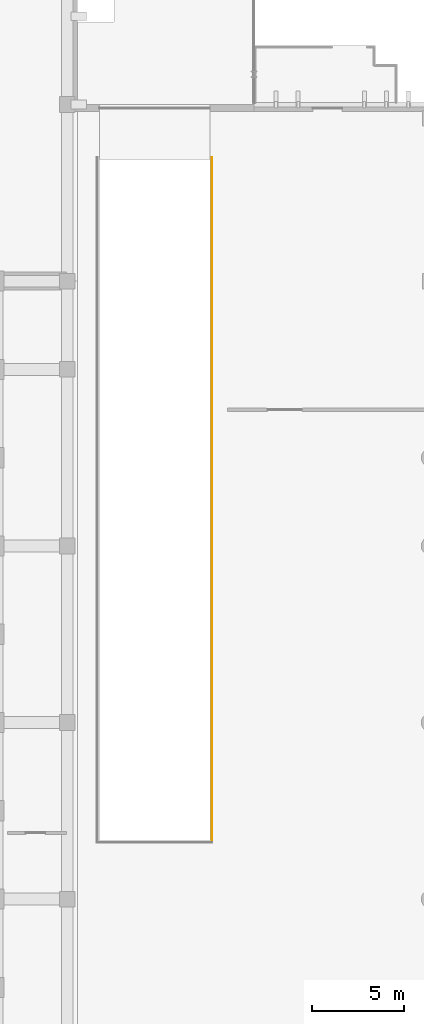
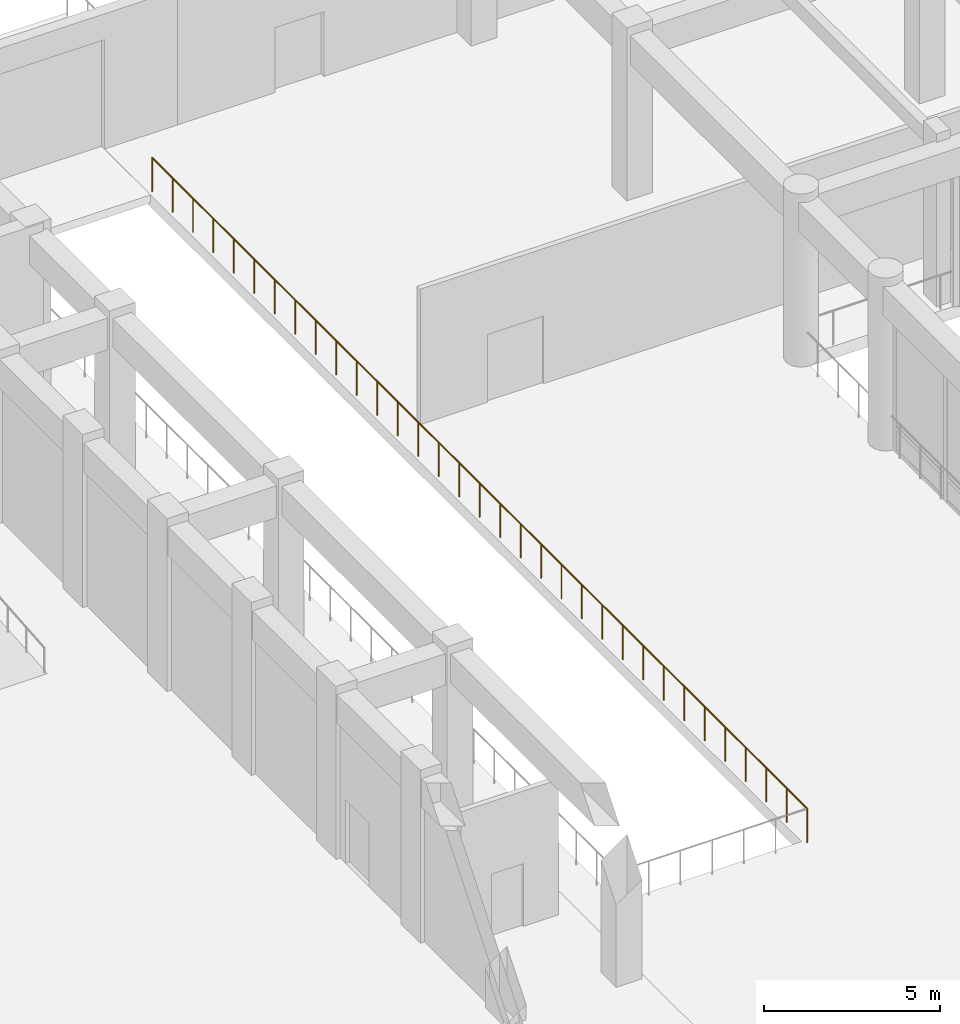
# One storey, part 73 of 87: 1 railing.
"""IFC4 building model written with IfcOpenShell, lengths in metres."""

import ifcopenshell
import ifcopenshell.guid

model = None  # the IFC model being written
_history = None  # IfcOwnerHistory: only IFC2X3 demands one
_inside = {}  # id of a spatial element -> (the spatial element, [elements in it])
_under = {}  # id of a project, library or spatial element -> (it, [spatial elements below it])
_declared = {}  # id of a project -> (the project, [libraries it declares])
_typed = {}  # id of a type object -> (the type object, [elements of that type])
_made_of = {}  # id of a material, layer set ... -> (it, [elements and type objects made of it])


def new_model(schema):
    """Start an empty IFC model of exactly this schema.

    Asked for "IFC4X3", IfcOpenShell would pick the latest addendum, in which some entities
    have other attributes; the version numbers below select the first issue.
    IFC2X3 requires an IfcOwnerHistory on every rooted entity: one is made here for all.
    """
    global model, _history
    if schema == "IFC4X3":
        model = ifcopenshell.file(schema_version=(4, 3, 0, 0))
    else:
        model = ifcopenshell.file(schema=schema)
    _inside.clear()
    _under.clear()
    _declared.clear()
    _typed.clear()
    _made_of.clear()
    _history = None
    if model.schema == "IFC2X3":
        org = make("IfcOrganization", Name="unknown")
        user = make(
            "IfcPersonAndOrganization",
            ThePerson=make("IfcPerson", FamilyName="unknown"),
            TheOrganization=org,
        )
        app = make(
            "IfcApplication",
            ApplicationDeveloper=org,
            Version="unknown",
            ApplicationFullName="unknown",
            ApplicationIdentifier="unknown",
        )
        _history = make(
            "IfcOwnerHistory",
            OwningUser=user,
            OwningApplication=app,
            ChangeAction="ADDED",
            CreationDate=0,
        )
    return model


def make(cls, **values):
    """One entity of the class cls with the attributes given. An attribute that is None is left unset."""
    return model.create_entity(
        cls, **{name: value for name, value in values.items() if value is not None}
    )


def rooted(cls, **values):
    """An entity with a GlobalId (a new one), such as an element, a storey or a relation."""
    return make(cls, GlobalId=ifcopenshell.guid.new(), OwnerHistory=_history, **values)


def si_unit(unit_type, name, prefix=None):
    """IfcSIUnit, for example si_unit("LENGTHUNIT", "METRE", prefix="MILLI")."""
    return make("IfcSIUnit", UnitType=unit_type, Prefix=prefix, Name=name)


def assignment(units):
    """IfcUnitAssignment: the units of a project."""
    return None if units is None else make("IfcUnitAssignment", Units=units)


def point(xyz):
    """IfcCartesianPoint."""
    return None if xyz is None else make("IfcCartesianPoint", Coordinates=xyz)


def direction(xyz):
    """IfcDirection."""
    return None if xyz is None else make("IfcDirection", DirectionRatios=xyz)


def frame(location, z_axis=None, x_axis=None):
    """IfcAxis2Placement3D, a coordinate frame: its origin and axes. An axis left out is left unset."""
    return make(
        "IfcAxis2Placement3D",
        Location=point(location),
        Axis=direction(z_axis),
        RefDirection=direction(x_axis),
    )


def frame_2d(location, x_axis=None):
    """IfcAxis2Placement2D, a coordinate frame in the plane: its origin and x axis."""
    return make(
        "IfcAxis2Placement2D", Location=point(location), RefDirection=direction(x_axis)
    )


def origin():
    """The frame at (0, 0, 0) with its axes left unset."""
    return frame((0.0, 0.0, 0.0))


def origin_2d():
    """The frame at (0, 0) in the plane with its x axis left unset."""
    return frame_2d((0.0, 0.0))


def place(relative_to, where):
    """IfcLocalPlacement: puts the frame where relative to a parent placement (None: the world)."""
    return make(
        "IfcLocalPlacement", PlacementRelTo=relative_to, RelativePlacement=where
    )


def context(
    kind, dimensions, precision=None, world=None, true_north=None, identifier=None
):
    """IfcGeometricRepresentationContext, for example the 3D "Model" context."""
    return make(
        "IfcGeometricRepresentationContext",
        ContextIdentifier=identifier,
        ContextType=kind,
        CoordinateSpaceDimension=dimensions,
        Precision=precision,
        WorldCoordinateSystem=world,
        TrueNorth=true_north,
    )


def subcontext(parent, identifier, kind, view, scale=None):
    """IfcGeometricRepresentationSubContext, for example "Body" below "Model"."""
    return make(
        "IfcGeometricRepresentationSubContext",
        ContextIdentifier=identifier,
        ContextType=kind,
        ParentContext=parent,
        TargetScale=scale,
        TargetView=view,
    )


def project(units=None, contexts=None):
    """IfcProject with its units and contexts."""
    return rooted(
        "IfcProject",
        Name="project",
        RepresentationContexts=contexts,
        UnitsInContext=assignment(units),
    )


def spatial(cls, under=None, at=None, **own):
    """A site, building, storey or space (cls), placed at a placement, below another one or the project."""
    s = rooted(cls, ObjectPlacement=at, **own)
    if under is not None:
        _under.setdefault(under.id(), (under, []))[1].append(s)
    return s


def profile(cls, at=None, kind="AREA", **sizes):
    """A parametric profile (cls). Its sizes go by their IFC names, for example OverallWidth=200.0."""
    return make(cls, ProfileType=kind, Position=at, **sizes)


def circle(**sizes):
    """IfcCircleProfileDef."""
    return profile("IfcCircleProfileDef", **sizes)


def extrude(swept, where, along, depth):
    """IfcExtrudedAreaSolid: the profile swept, set in the frame where, extruded along a direction by depth."""
    return make(
        "IfcExtrudedAreaSolid",
        SweptArea=swept,
        Position=where,
        ExtrudedDirection=direction(along),
        Depth=depth,
    )


def shape(context_of_items, identifier, shape_type, items):
    """IfcShapeRepresentation: the items that make up one representation, for example the "Body"."""
    return make(
        "IfcShapeRepresentation",
        ContextOfItems=context_of_items,
        RepresentationIdentifier=identifier,
        RepresentationType=shape_type,
        Items=items,
    )


def material(Name=None, Category=None):
    """IfcMaterial."""
    return make("IfcMaterial", Name=Name, Category=Category)


def made_of(thing, what):
    """Note that an element or type object is made of a material, layer set ...; save() writes the relation."""
    if what is not None:
        _made_of.setdefault(what.id(), (what, []))[1].append(thing)
    return thing


def type_object(cls, material=None, **own):
    """A type object (cls), such as IfcWallType, which elements share."""
    return made_of(rooted(cls, **own), material)


def element(
    cls,
    number,
    at=None,
    inside=None,
    cuts=None,
    type_object=None,
    material=None,
    context=None,
    identifier="Body",
    shape_type=None,
    held_by="IfcProductDefinitionShape",
    body=None,
    shapes=None,
    **own,
):
    """One element of the class cls, such as IfcWall. Its Tag is "e" and its number.

    at: its placement. inside: the storey or other place that contains it. cuts: it is an
    opening in that element (IfcRelVoidsElement). A single representation is given by context,
    identifier, shape_type and body (its items); several are given by shapes. held_by: the class
    of the entity that holds the representations. save() writes the other relations.
    """
    e = rooted(cls, Tag="e%d" % number, ObjectPlacement=at, **own)
    if body is not None:
        shapes = [shape(context, identifier, shape_type, body)]
    if shapes is not None:
        e.Representation = make(held_by, Representations=shapes)
    if inside is not None:
        _inside.setdefault(inside.id(), (inside, []))[1].append(e)
    if cuts is not None:
        rooted(
            "IfcRelVoidsElement", RelatingBuildingElement=cuts, RelatedOpeningElement=e
        )
    if type_object is not None:
        _typed.setdefault(type_object.id(), (type_object, []))[1].append(e)
    return made_of(e, material)


def aggregate(whole, parts):
    """IfcRelAggregates: a whole, such as a stair, and the parts it consists of."""
    return rooted("IfcRelAggregates", RelatingObject=whole, RelatedObjects=parts)


def save(model, path):
    """Write the relations noted so far, then the file.

    IfcRelAggregates (storeys below a building ...), IfcRelContainedInSpatialStructure (elements
    in a storey), IfcRelDefinesByType, IfcRelAssociatesMaterial and IfcRelDeclares: one each for
    every whole, place, type object, material and project.
    """
    for whole, parts in _under.values():
        aggregate(whole, parts)
    for where, things in _inside.values():
        rooted(
            "IfcRelContainedInSpatialStructure",
            RelatedElements=things,
            RelatingStructure=where,
        )
    for kind, things in _typed.values():
        rooted("IfcRelDefinesByType", RelatedObjects=things, RelatingType=kind)
    for what, things in _made_of.values():
        rooted("IfcRelAssociatesMaterial", RelatedObjects=things, RelatingMaterial=what)
    for by, libraries in _declared.values():
        rooted("IfcRelDeclares", RelatingContext=by, RelatedDefinitions=libraries)
    model.write(path)


model = new_model("IFC4")

# Units and contexts
model_context = context("Model", 3, precision=1e-05, world=origin(), true_north=direction((0.0, 1.0)))
body_context = subcontext(model_context, "Body", "Model", "MODEL_VIEW")
ifc_project = project(units=[si_unit("LENGTHUNIT", "METRE"), si_unit("AREAUNIT", "SQUARE_METRE"), si_unit("VOLUMEUNIT", "CUBIC_METRE"), si_unit("PLANEANGLEUNIT", "RADIAN"), si_unit("MASSUNIT", "GRAM", prefix="KILO")], contexts=[model_context])

# Site, building, storey
site_placement = place(None, origin())
site = spatial("IfcSite", under=ifc_project, at=site_placement, CompositionType="ELEMENT")
building_placement = place(site_placement, origin())
building = spatial("IfcBuilding", under=site, at=building_placement, Name="Nakhvara Creek Congress Hotel", CompositionType="ELEMENT")
storey_placement = place(building_placement, origin())
storey = spatial("IfcBuildingStorey", under=building, at=storey_placement, Name="L00", CompositionType="ELEMENT", Elevation=0.0)

# Railing
ifc_material = material(Name="Brushed stainless steel 316L", Category="steel")
railing_type = type_object("IfcRailingType", Name="RL-GUARD-1200", PredefinedType="GUARDRAIL", material=ifc_material)
railing_placement = place(storey_placement, frame((64.919921875, 55.8798828125, 0.0)))
element("IfcRailing", 1, at=railing_placement, inside=storey, type_object=railing_type, Name="Ramp Well Guard VR2-E", PredefinedType="GUARDRAIL", context=body_context, shape_type="SweptSolid", body=[
    extrude(circle(Radius=0.02392578125, at=origin_2d()), frame((0.0, 0.0146484375, 1.17578125), z_axis=(0.0, 1.0, 0.0), x_axis=(-1.0, 0.0, 0.0)), (0.0, 0.0, 1.0), 37.2109375),
    extrude(circle(Radius=0.02099609375, at=origin_2d()), origin(), (0.0, 0.0, 1.0), 1.1806640625),
    extrude(circle(Radius=0.02099609375, at=origin_2d()), frame((0.0, 1.163818359375, 0.0)), (0.0, 0.0, 1.0), 1.1806640625),
    extrude(circle(Radius=0.02099609375, at=origin_2d()), frame((0.0, 2.32763671875, 0.0)), (0.0, 0.0, 1.0), 1.1806640625),
    extrude(circle(Radius=0.02099609375, at=origin_2d()), frame((0.0, 3.4912109375, 0.0)), (0.0, 0.0, 1.0), 1.1806640625),
    extrude(circle(Radius=0.02099609375, at=origin_2d()), frame((0.0, 4.655029296875, 0.0)), (0.0, 0.0, 1.0), 1.1806640625),
    extrude(circle(Radius=0.02099609375, at=origin_2d()), frame((0.0, 5.81884765625, 0.0)), (0.0, 0.0, 1.0), 1.1806640625),
    extrude(circle(Radius=0.02099609375, at=origin_2d()), frame((0.0, 6.982421875, 0.0)), (0.0, 0.0, 1.0), 1.1806640625),
    extrude(circle(Radius=0.02099609375, at=origin_2d()), frame((0.0, 8.146240234375, 0.0)), (0.0, 0.0, 1.0), 1.1806640625),
    extrude(circle(Radius=0.02099609375, at=origin_2d()), frame((0.0, 9.31005859375, 0.0)), (0.0, 0.0, 1.0), 1.1806640625),
    extrude(circle(Radius=0.02099609375, at=origin_2d()), frame((0.0, 10.473876953125, 0.0)), (0.0, 0.0, 1.0), 1.1806640625),
    extrude(circle(Radius=0.02099609375, at=origin_2d()), frame((0.0, 11.6376953125, 0.0)), (0.0, 0.0, 1.0), 1.1806640625),
    extrude(circle(Radius=0.02099609375, at=origin_2d()), frame((0.0, 12.80126953125, 0.0)), (0.0, 0.0, 1.0), 1.1806640625),
    extrude(circle(Radius=0.02099609375, at=origin_2d()), frame((0.0, 13.965087890625, 0.0)), (0.0, 0.0, 1.0), 1.1806640625),
    extrude(circle(Radius=0.02099609375, at=origin_2d()), frame((0.0, 15.12890625, 0.0)), (0.0, 0.0, 1.0), 1.1806640625),
    extrude(circle(Radius=0.02099609375, at=origin_2d()), frame((0.0, 16.29248046875, 0.0)), (0.0, 0.0, 1.0), 1.1806640625),
    extrude(circle(Radius=0.02099609375, at=origin_2d()), frame((0.0, 17.456298828125, 0.0)), (0.0, 0.0, 1.0), 1.1806640625),
    extrude(circle(Radius=0.02099609375, at=origin_2d()), frame((0.0, 18.6201171875, 0.0)), (0.0, 0.0, 1.0), 1.1806640625),
    extrude(circle(Radius=0.02099609375, at=origin_2d()), frame((0.0, 19.783935546875, 0.0)), (0.0, 0.0, 1.0), 1.1806640625),
    extrude(circle(Radius=0.02099609375, at=origin_2d()), frame((0.0, 20.94775390625, 0.0)), (0.0, 0.0, 1.0), 1.1806640625),
    extrude(circle(Radius=0.02099609375, at=origin_2d()), frame((0.0, 22.111328125, 0.0)), (0.0, 0.0, 1.0), 1.1806640625),
    extrude(circle(Radius=0.02099609375, at=origin_2d()), frame((0.0, 23.275146484375, 0.0)), (0.0, 0.0, 1.0), 1.1806640625),
    extrude(circle(Radius=0.02099609375, at=origin_2d()), frame((0.0, 24.43896484375, 0.0)), (0.0, 0.0, 1.0), 1.1806640625),
    extrude(circle(Radius=0.02099609375, at=origin_2d()), frame((0.0, 25.6025390625, 0.0)), (0.0, 0.0, 1.0), 1.1806640625),
    extrude(circle(Radius=0.02099609375, at=origin_2d()), frame((0.0, 26.766357421875, 0.0)), (0.0, 0.0, 1.0), 1.1806640625),
    extrude(circle(Radius=0.02099609375, at=origin_2d()), frame((0.0, 27.93017578125, 0.0)), (0.0, 0.0, 1.0), 1.1806640625),
    extrude(circle(Radius=0.02099609375, at=origin_2d()), frame((0.0, 29.093994140625, 0.0)), (0.0, 0.0, 1.0), 1.1806640625),
    extrude(circle(Radius=0.02099609375, at=origin_2d()), frame((0.0, 30.2578125, 0.0)), (0.0, 0.0, 1.0), 1.1806640625),
    extrude(circle(Radius=0.02099609375, at=origin_2d()), frame((0.0, 31.42138671875, 0.0)), (0.0, 0.0, 1.0), 1.1806640625),
    extrude(circle(Radius=0.02099609375, at=origin_2d()), frame((0.0, 32.585205078125, 0.0)), (0.0, 0.0, 1.0), 1.1806640625),
    extrude(circle(Radius=0.02099609375, at=origin_2d()), frame((0.0, 33.7490234375, 0.0)), (0.0, 0.0, 1.0), 1.1806640625),
    extrude(circle(Radius=0.02099609375, at=origin_2d()), frame((0.0, 34.91259765625, 0.0)), (0.0, 0.0, 1.0), 1.1806640625),
    extrude(circle(Radius=0.02099609375, at=origin_2d()), frame((0.0, 36.076416015625, 0.0)), (0.0, 0.0, 1.0), 1.1806640625),
    extrude(circle(Radius=0.02099609375, at=origin_2d()), frame((0.0, 37.240234375, 0.0)), (0.0, 0.0, 1.0), 1.1806640625),
])

save(model, "model.ifc")
